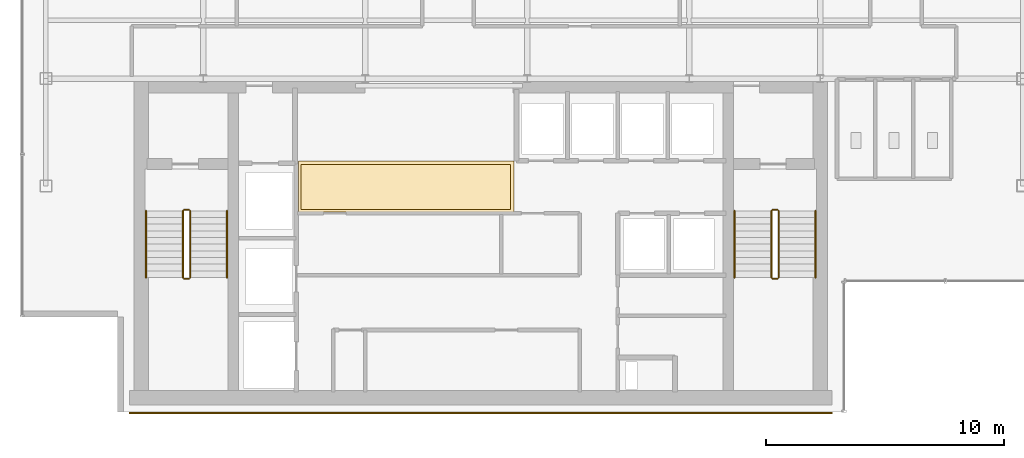
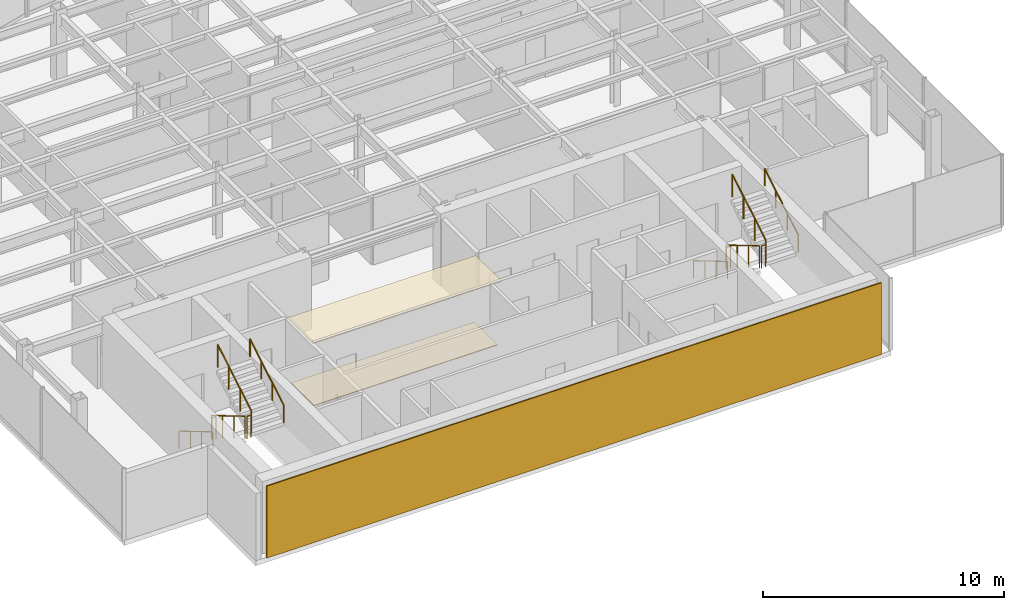
# One storey, part 20 of 22: 12 railings, 3 coverings.
"""IFC4 building model written with IfcOpenShell, lengths in metres."""

from ifc_helpers import new_model, si_unit, derived_unit, direction, frame, origin, origin_2d, place, context, subcontext, project, spatial, polyline, rectangle, circle, outline, extrude, source, transform, mapped, material, layer, layer_set, type_object, element, save


model = new_model("IFC4")

# Units and contexts
model_context = context("Model", 3, precision=1e-05, world=origin(), true_north=direction((0.0, 1.0)))
body_context = subcontext(model_context, "Body", "Model", "MODEL_VIEW")
ifc_project = project(units=[si_unit("LENGTHUNIT", "METRE"), si_unit("AREAUNIT", "SQUARE_METRE"), si_unit("VOLUMEUNIT", "CUBIC_METRE"), si_unit("PLANEANGLEUNIT", "RADIAN"), si_unit("MASSUNIT", "GRAM", prefix="KILO"), derived_unit("THERMALTRANSMITTANCEUNIT", [(si_unit("POWERUNIT", "WATT"), 1), (si_unit("LENGTHUNIT", "METRE"), -2), (si_unit("THERMODYNAMICTEMPERATUREUNIT", "KELVIN"), -1)])], contexts=[model_context])

# Site, building, storey
site_placement = place(None, origin())
site = spatial("IfcSite", under=ifc_project, at=site_placement, CompositionType="ELEMENT")
building_placement = place(site_placement, origin())
building = spatial("IfcBuilding", under=site, at=building_placement, Name="Skarnbrae Concourse Arena and Tower", CompositionType="ELEMENT")
storey_placement = place(building_placement, frame((0.0, 0.0, 258.800048828125)))
storey = spatial("IfcBuildingStorey", under=building, at=storey_placement, Name="L67", CompositionType="ELEMENT", Elevation=258.800048828125)

# Coverings
ifc_material_1 = material(Name="Mineral fibre acoustic ceiling tile", Category="other")
ifc_layer_1 = layer(ifc_material_1, 0.0400390625)
ifc_layer_set_1 = layer_set([ifc_layer_1], Name="Mineral fibre acoustic ceiling tile")
covering_type_1 = type_object("IfcCoveringType", Name="COV-CEIL-ACOUSTIC", PredefinedType="CEILING", material=ifc_layer_set_1)
covering_1_placement = place(storey_placement, frame((0.0, 0.0, 3.239990234375)))
element("IfcCovering", 1, at=covering_1_placement, inside=storey, type_object=covering_type_1, Name="L67 Lift lobby acoustic ceiling", PredefinedType="CEILING", context=body_context, shape_type="SweptSolid", body=[
    extrude(outline(polyline([(11.60009765625, 8.39990234375), (20.64990234375, 8.39990234375), (20.64990234375, 10.550048828125), (11.60009765625, 10.550048828125), (11.60009765625, 8.39990234375)])), origin(), (0.0, 0.0, 1.0), 0.0400390625),
])
ifc_material_2 = material(Name="Polished granite terrazzo flooring", Category="masonry")
ifc_layer_2 = layer(ifc_material_2, 0.0400390625)
ifc_layer_set_2 = layer_set([ifc_layer_2], Name="Polished granite terrazzo flooring")
covering_type_2 = type_object("IfcCoveringType", Name="COV-FLOOR-TERRAZZO", PredefinedType="FLOORING", material=ifc_layer_set_2)
covering_2_placement = place(storey_placement, origin())
element("IfcCovering", 2, at=covering_2_placement, inside=storey, type_object=covering_type_2, Name="L67 Lift lobby terrazzo flooring", PredefinedType="FLOORING", context=body_context, shape_type="SweptSolid", body=[
    extrude(outline(polyline([(11.699951171875, 8.5), (20.5, 8.5), (20.5, 10.39990234375), (11.699951171875, 10.39990234375), (11.699951171875, 8.5)])), origin(), (0.0, 0.0, 1.0), 0.0400390625),
])

# Railings
ifc_material_3 = material(Name="Steel CSA G40.21 350W", Category="steel")
railing_type_1 = type_object("IfcRailingType", Name="RAIL-HANDRAIL-900", PredefinedType="HANDRAIL", material=ifc_material_3)
railing_1_placement = place(storey_placement, frame((5.199951171875, 8.449951171875, 0.165771484375)))
element("IfcRailing", 3, at=railing_1_placement, inside=storey, type_object=railing_type_1, Name="L67 ST-1 stair handrail 1", PredefinedType="HANDRAIL", context=body_context, shape_type="SweptSolid", body=[
    extrude(circle(Radius=0.02392578125, at=origin_2d()), frame((0.0, 0.0, 0.8759765625), z_axis=(0.0, -0.860306154799, 0.50977771628), x_axis=(1.0, 0.0, 0.0)), (0.0, 0.0, 1.0), 3.254638671875),
    extrude(circle(Radius=0.02099609375, at=origin_2d()), origin(), (0.0, 0.0, 1.0), 0.851806640625),
    extrude(circle(Radius=0.02099609375, at=origin_2d()), frame((0.0, -0.933349609375, 0.552978515625)), (0.0, 0.0, 1.0), 0.851806640625),
    extrude(circle(Radius=0.02099609375, at=origin_2d()), frame((0.0, -1.86669921875, 1.106201171875)), (0.0, 0.0, 1.0), 0.851806640625),
    extrude(circle(Radius=0.02099609375, at=origin_2d()), frame((0.0, -2.800048828125, 1.6591796875)), (0.0, 0.0, 1.0), 0.851806640625),
])
railing_2_placement = place(storey_placement, frame((8.60009765625, 5.64990234375, 1.990966796875)))
element("IfcRailing", 4, at=railing_2_placement, inside=storey, type_object=railing_type_1, Name="L67 ST-1 stair handrail 2", PredefinedType="HANDRAIL", context=body_context, shape_type="SweptSolid", body=[
    extrude(circle(Radius=0.02392578125, at=origin_2d()), frame((0.0, 0.0, 0.8759765625), z_axis=(0.0, 0.860339051648, 0.50972219513), x_axis=(-1.0, 0.0, 0.0)), (0.0, 0.0, 1.0), 3.254638671875),
    extrude(circle(Radius=0.02099609375, at=origin_2d()), origin(), (0.0, 0.0, 1.0), 0.851806640625),
    extrude(circle(Radius=0.02099609375, at=origin_2d()), frame((0.0, 0.933349609375, 0.552978515625)), (0.0, 0.0, 1.0), 0.851806640625),
    extrude(circle(Radius=0.02099609375, at=origin_2d()), frame((0.0, 1.86669921875, 1.10595703125)), (0.0, 0.0, 1.0), 0.851806640625),
    extrude(circle(Radius=0.02099609375, at=origin_2d()), frame((0.0, 2.800048828125, 1.658935546875)), (0.0, 0.0, 1.0), 0.851806640625),
])
railing_3_placement = place(storey_placement, frame((29.89990234375, 8.449951171875, 0.165771484375)))
element("IfcRailing", 5, at=railing_3_placement, inside=storey, type_object=railing_type_1, Name="L67 ST-2 stair handrail 1", PredefinedType="HANDRAIL", context=body_context, shape_type="SweptSolid", body=[
    extrude(circle(Radius=0.02392578125, at=origin_2d()), frame((0.0, 0.0, 0.8759765625), z_axis=(0.0, -0.860306154799, 0.50977771628), x_axis=(1.0, 0.0, 0.0)), (0.0, 0.0, 1.0), 3.254638671875),
    extrude(circle(Radius=0.02099609375, at=origin_2d()), origin(), (0.0, 0.0, 1.0), 0.851806640625),
    extrude(circle(Radius=0.02099609375, at=origin_2d()), frame((0.0, -0.933349609375, 0.552978515625)), (0.0, 0.0, 1.0), 0.851806640625),
    extrude(circle(Radius=0.02099609375, at=origin_2d()), frame((0.0, -1.86669921875, 1.106201171875)), (0.0, 0.0, 1.0), 0.851806640625),
    extrude(circle(Radius=0.02099609375, at=origin_2d()), frame((0.0, -2.800048828125, 1.6591796875)), (0.0, 0.0, 1.0), 0.851806640625),
])
railing_4_placement = place(storey_placement, frame((33.300048828125, 5.64990234375, 1.990966796875)))
element("IfcRailing", 6, at=railing_4_placement, inside=storey, type_object=railing_type_1, Name="L67 ST-2 stair handrail 2", PredefinedType="HANDRAIL", context=body_context, shape_type="SweptSolid", body=[
    extrude(circle(Radius=0.02392578125, at=origin_2d()), frame((0.0, 0.0, 0.8759765625), z_axis=(0.0, 0.860339051648, 0.50972219513), x_axis=(-1.0, 0.0, 0.0)), (0.0, 0.0, 1.0), 3.254638671875),
    extrude(circle(Radius=0.02099609375, at=origin_2d()), origin(), (0.0, 0.0, 1.0), 0.851806640625),
    extrude(circle(Radius=0.02099609375, at=origin_2d()), frame((0.0, 0.933349609375, 0.552978515625)), (0.0, 0.0, 1.0), 0.851806640625),
    extrude(circle(Radius=0.02099609375, at=origin_2d()), frame((0.0, 1.86669921875, 1.10595703125)), (0.0, 0.0, 1.0), 0.851806640625),
    extrude(circle(Radius=0.02099609375, at=origin_2d()), frame((0.0, 2.800048828125, 1.658935546875)), (0.0, 0.0, 1.0), 0.851806640625),
])
railing_type_2 = type_object("IfcRailingType", Name="RAIL-STAIR-GUARD-1150", PredefinedType="GUARDRAIL", material=ifc_material_3)
railing_5_placement = place(storey_placement, frame((6.75, 8.449951171875, 0.165771484375)))
element("IfcRailing", 7, at=railing_5_placement, inside=storey, type_object=railing_type_2, Name="L67 ST-1 stair guard 1", PredefinedType="GUARDRAIL", context=body_context, shape_type="SweptSolid", body=[
    extrude(circle(Radius=0.02392578125, at=origin_2d()), frame((0.0, 0.0, 1.1259765625), z_axis=(0.0, -0.860306154799, 0.50977771628), x_axis=(1.0, 0.0, 0.0)), (0.0, 0.0, 1.0), 3.254638671875),
    extrude(circle(Radius=0.02099609375, at=origin_2d()), origin(), (0.0, 0.0, 1.0), 1.101806640625),
    extrude(circle(Radius=0.02099609375, at=origin_2d()), frame((0.0, -0.933349609375, 0.552978515625)), (0.0, 0.0, 1.0), 1.101806640625),
    extrude(circle(Radius=0.02099609375, at=origin_2d()), frame((0.0, -1.86669921875, 1.106201171875)), (0.0, 0.0, 1.0), 1.101806640625),
    extrude(circle(Radius=0.02099609375, at=origin_2d()), frame((0.0, -2.800048828125, 1.6591796875)), (0.0, 0.0, 1.0), 1.101806640625),
])
railing_6_placement = place(storey_placement, frame((6.800048828125, 5.60009765625, 1.824951171875)))
element("IfcRailing", 8, at=railing_6_placement, inside=storey, type_object=railing_type_2, Name="L67 ST-1 stair guard 2", PredefinedType="GUARDRAIL", context=body_context, shape_type="SweptSolid", body=[
    extrude(circle(Radius=0.02392578125, at=origin_2d()), frame((0.0, 0.0, 1.1259765625), z_axis=(1.0, 0.0, 0.0), x_axis=(0.0, 1.0, 0.0)), (0.0, 0.0, 1.0), 0.199951171875),
    extrude(circle(Radius=0.02099609375, at=origin_2d()), origin(), (0.0, 0.0, 1.0), 1.101806640625),
    extrude(circle(Radius=0.02099609375, at=origin_2d()), frame((0.199951171875, 0.0, 0.0)), (0.0, 0.0, 1.0), 1.101806640625),
])
railing_7_placement = place(storey_placement, frame((7.050048828125, 5.64990234375, 1.990966796875)))
element("IfcRailing", 9, at=railing_7_placement, inside=storey, type_object=railing_type_2, Name="L67 ST-1 stair guard 3", PredefinedType="GUARDRAIL", context=body_context, shape_type="SweptSolid", body=[
    extrude(circle(Radius=0.02392578125, at=origin_2d()), frame((0.0, 0.0, 1.1259765625), z_axis=(0.0, 0.860339051648, 0.50972219513), x_axis=(-1.0, 0.0, 0.0)), (0.0, 0.0, 1.0), 3.254638671875),
    extrude(circle(Radius=0.02099609375, at=origin_2d()), origin(), (0.0, 0.0, 1.0), 1.101806640625),
    extrude(circle(Radius=0.02099609375, at=origin_2d()), frame((0.0, 0.933349609375, 0.552978515625)), (0.0, 0.0, 1.0), 1.101806640625),
    extrude(circle(Radius=0.02099609375, at=origin_2d()), frame((0.0, 1.86669921875, 1.10595703125)), (0.0, 0.0, 1.0), 1.101806640625),
    extrude(circle(Radius=0.02099609375, at=origin_2d()), frame((0.0, 2.800048828125, 1.658935546875)), (0.0, 0.0, 1.0), 1.101806640625),
])
railing_8_placement = place(storey_placement, frame((6.800048828125, 8.5, 0.0)))
element("IfcRailing", 10, at=railing_8_placement, inside=storey, type_object=railing_type_2, Name="L67 ST-1 stair guard 4", PredefinedType="GUARDRAIL", context=body_context, shape_type="SweptSolid", body=[
    extrude(circle(Radius=0.02392578125, at=origin_2d()), frame((0.0, 0.0, 1.1259765625), z_axis=(1.0, 0.0, 0.0), x_axis=(0.0, 1.0, 0.0)), (0.0, 0.0, 1.0), 0.199951171875),
    extrude(circle(Radius=0.02099609375, at=origin_2d()), origin(), (0.0, 0.0, 1.0), 1.101806640625),
    extrude(circle(Radius=0.02099609375, at=origin_2d()), frame((0.199951171875, 0.0, 0.0)), (0.0, 0.0, 1.0), 1.101806640625),
])
railing_9_placement = place(storey_placement, frame((31.449951171875, 8.449951171875, 0.165771484375)))
element("IfcRailing", 11, at=railing_9_placement, inside=storey, type_object=railing_type_2, Name="L67 ST-2 stair guard 1", PredefinedType="GUARDRAIL", context=body_context, shape_type="SweptSolid", body=[
    extrude(circle(Radius=0.02392578125, at=origin_2d()), frame((0.0, 0.0, 1.1259765625), z_axis=(0.0, -0.860306154799, 0.50977771628), x_axis=(1.0, 0.0, 0.0)), (0.0, 0.0, 1.0), 3.254638671875),
    extrude(circle(Radius=0.02099609375, at=origin_2d()), origin(), (0.0, 0.0, 1.0), 1.101806640625),
    extrude(circle(Radius=0.02099609375, at=origin_2d()), frame((0.0, -0.933349609375, 0.552978515625)), (0.0, 0.0, 1.0), 1.101806640625),
    extrude(circle(Radius=0.02099609375, at=origin_2d()), frame((0.0, -1.86669921875, 1.106201171875)), (0.0, 0.0, 1.0), 1.101806640625),
    extrude(circle(Radius=0.02099609375, at=origin_2d()), frame((0.0, -2.800048828125, 1.6591796875)), (0.0, 0.0, 1.0), 1.101806640625),
])
railing_10_placement = place(storey_placement, frame((31.5, 5.60009765625, 1.824951171875)))
element("IfcRailing", 12, at=railing_10_placement, inside=storey, type_object=railing_type_2, Name="L67 ST-2 stair guard 2", PredefinedType="GUARDRAIL", context=body_context, shape_type="SweptSolid", body=[
    extrude(circle(Radius=0.02392578125, at=origin_2d()), frame((0.0, 0.0, 1.1259765625), z_axis=(1.0, 0.0, 0.0), x_axis=(0.0, 1.0, 0.0)), (0.0, 0.0, 1.0), 0.199951171875),
    extrude(circle(Radius=0.02099609375, at=origin_2d()), origin(), (0.0, 0.0, 1.0), 1.101806640625),
    extrude(circle(Radius=0.02099609375, at=origin_2d()), frame((0.199951171875, 0.0, 0.0)), (0.0, 0.0, 1.0), 1.101806640625),
])
railing_11_placement = place(storey_placement, frame((31.75, 5.64990234375, 1.990966796875)))
element("IfcRailing", 13, at=railing_11_placement, inside=storey, type_object=railing_type_2, Name="L67 ST-2 stair guard 3", PredefinedType="GUARDRAIL", context=body_context, shape_type="SweptSolid", body=[
    extrude(circle(Radius=0.02392578125, at=origin_2d()), frame((0.0, 0.0, 1.1259765625), z_axis=(0.0, 0.860339051648, 0.50972219513), x_axis=(-1.0, 0.0, 0.0)), (0.0, 0.0, 1.0), 3.254638671875),
    extrude(circle(Radius=0.02099609375, at=origin_2d()), origin(), (0.0, 0.0, 1.0), 1.101806640625),
    extrude(circle(Radius=0.02099609375, at=origin_2d()), frame((0.0, 0.933349609375, 0.552978515625)), (0.0, 0.0, 1.0), 1.101806640625),
    extrude(circle(Radius=0.02099609375, at=origin_2d()), frame((0.0, 1.86669921875, 1.10595703125)), (0.0, 0.0, 1.0), 1.101806640625),
    extrude(circle(Radius=0.02099609375, at=origin_2d()), frame((0.0, 2.800048828125, 1.658935546875)), (0.0, 0.0, 1.0), 1.101806640625),
])
railing_12_placement = place(storey_placement, frame((31.5, 8.5, 0.0)))
element("IfcRailing", 14, at=railing_12_placement, inside=storey, type_object=railing_type_2, Name="L67 ST-2 stair guard 4", PredefinedType="GUARDRAIL", context=body_context, shape_type="SweptSolid", body=[
    extrude(circle(Radius=0.02392578125, at=origin_2d()), frame((0.0, 0.0, 1.1259765625), z_axis=(1.0, 0.0, 0.0), x_axis=(0.0, 1.0, 0.0)), (0.0, 0.0, 1.0), 0.199951171875),
    extrude(circle(Radius=0.02099609375, at=origin_2d()), origin(), (0.0, 0.0, 1.0), 1.101806640625),
    extrude(circle(Radius=0.02099609375, at=origin_2d()), frame((0.199951171875, 0.0, 0.0)), (0.0, 0.0, 1.0), 1.101806640625),
])

# Covering
ifc_material_4 = material(Name="Bronze anodised aluminium 6063-T6", Category="aluminium")
ifc_layer_3 = layer(ifc_material_4, 0.06005859375)
ifc_layer_set_3 = layer_set([ifc_layer_3], Name="Bronze anodised aluminium 6063-T6")
covering_type_3 = type_object("IfcCoveringType", Name="COV-CLAD-BRONZE-60", PredefinedType="CLADDING", material=ifc_layer_set_3)
shared_shape = source(origin(), body_context, "Body", "SweptSolid", [
    extrude(rectangle(XDim=29.5, YDim=0.06005859375, at=origin_2d()), origin(), (0.0, 0.0, 1.0), 3.64990234375),
])
covering_3_placement = place(storey_placement, frame((19.25, -0.030029296875, 0.0), z_axis=(0.0, 0.0, 1.0), x_axis=(1.0, 0.0, 0.0)))
element("IfcCovering", 15, at=covering_3_placement, inside=storey, type_object=covering_type_3, Name="L67 Rear-core plumb spine bronze rainscreen panel", PredefinedType="CLADDING", context=body_context, shape_type="MappedRepresentation", body=[
    mapped(shared_shape, transform((0.0, 0.0, 0.0))),
])

save(model, "model.ifc")
